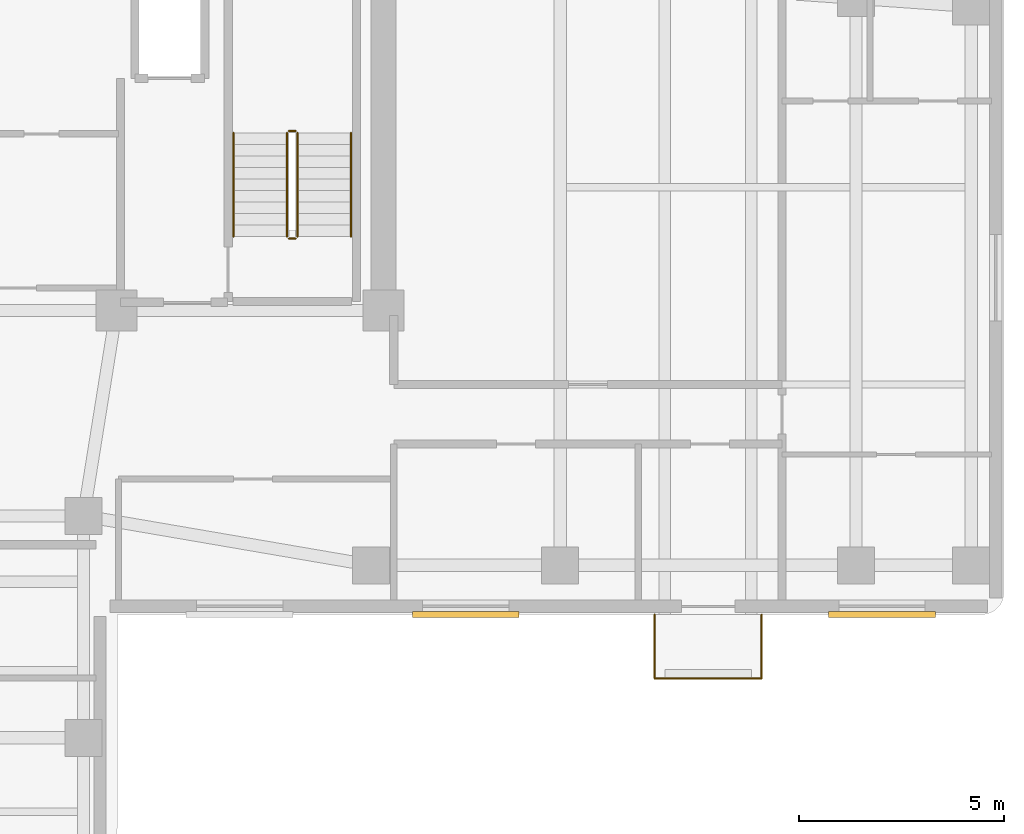
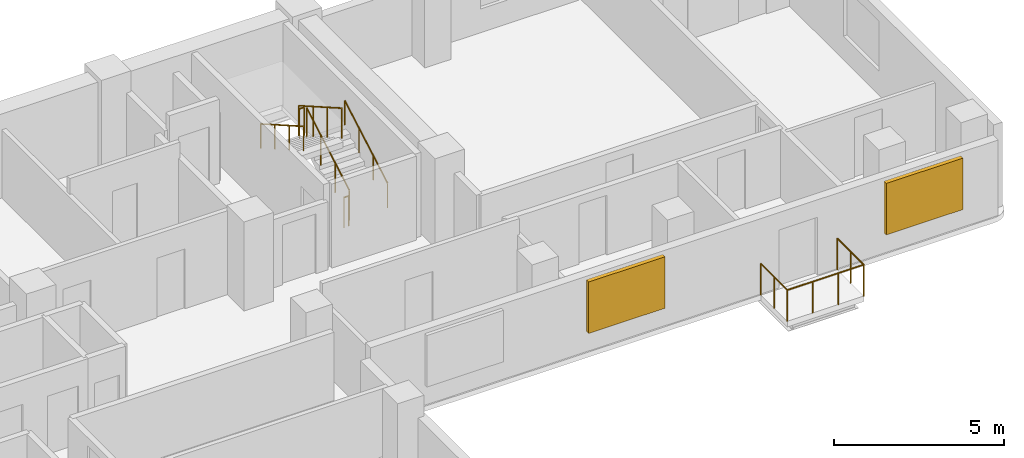
# One storey, part 6 of 6: 9 railings, 2 shading devices.
"""IFC4 building model written with IfcOpenShell, lengths in metres."""

from ifc_helpers import new_model, si_unit, direction, frame, origin, origin_2d, place, context, subcontext, project, spatial, rectangle, circle, extrude, material, layer, layer_set, type_object, element, save


model = new_model("IFC4")

# Units and contexts
model_context = context("Model", 3, precision=1e-05, world=origin(), true_north=direction((0.0, 1.0)))
body_context = subcontext(model_context, "Body", "Model", "MODEL_VIEW")
ifc_project = project(units=[si_unit("LENGTHUNIT", "METRE"), si_unit("AREAUNIT", "SQUARE_METRE"), si_unit("VOLUMEUNIT", "CUBIC_METRE"), si_unit("PLANEANGLEUNIT", "RADIAN"), si_unit("MASSUNIT", "GRAM", prefix="KILO")], contexts=[model_context])

# Site, building, storey
site_placement = place(None, origin())
site = spatial("IfcSite", under=ifc_project, at=site_placement, CompositionType="ELEMENT")
building_placement = place(site_placement, origin())
building = spatial("IfcBuilding", under=site, at=building_placement, Name="Kuzgunbayir Cultural Tower", CompositionType="ELEMENT")
storey_placement = place(building_placement, frame((0.0, 0.0, 169.60009765625)))
storey = spatial("IfcBuildingStorey", under=building, at=storey_placement, Name="L49", CompositionType="ELEMENT", Elevation=169.60009765625)

# Railings
ifc_material_1 = material(Name="Laminated Glass and Stainless Steel", Category="steel")
ifc_layer_1 = layer(ifc_material_1, 0.080078125)
ifc_layer_set_1 = layer_set([ifc_layer_1], Name="Laminated Glass and Stainless Steel")
railing_type_1 = type_object("IfcRailingType", Name="RLG-BAL-115", PredefinedType="BALUSTRADE", material=ifc_layer_set_1)
railing_1_placement = place(storey_placement, frame((33.5, 26.39990234375, 0.0)))
element("IfcRailing", 1, at=railing_1_placement, inside=storey, type_object=railing_type_1, Name="L49 Balcony Guard BAL-L49-WB2 Segment 1", PredefinedType="BALUSTRADE", context=body_context, shape_type="SweptSolid", body=[
    extrude(circle(Radius=0.02392578125, at=origin_2d()), frame((0.0, 0.0, 1.1259765625), z_axis=(0.0, -1.0, 0.0), x_axis=(1.0, 0.0, 0.0)), (0.0, 0.0, 1.0), 1.559814453125),
    extrude(circle(Radius=0.02099609375, at=origin_2d()), origin(), (0.0, 0.0, 1.0), 1.101806640625),
    extrude(circle(Radius=0.02099609375, at=origin_2d()), frame((0.0, -0.77978515625, 0.0)), (0.0, 0.0, 1.0), 1.101806640625),
    extrude(circle(Radius=0.02099609375, at=origin_2d()), frame((0.0, -1.559814453125, 0.0)), (0.0, 0.0, 1.0), 1.101806640625),
])
railing_2_placement = place(storey_placement, frame((33.5, 24.840087890625, 0.0)))
element("IfcRailing", 2, at=railing_2_placement, inside=storey, type_object=railing_type_1, Name="L49 Balcony Guard BAL-L49-WB2 Segment 2", PredefinedType="BALUSTRADE", context=body_context, shape_type="SweptSolid", body=[
    extrude(circle(Radius=0.02392578125, at=origin_2d()), frame((0.0, 0.0, 1.1259765625), z_axis=(1.0, 0.0, 0.0), x_axis=(0.0, 1.0, 0.0)), (0.0, 0.0, 1.0), 2.60009765625),
    extrude(circle(Radius=0.02099609375, at=origin_2d()), origin(), (0.0, 0.0, 1.0), 1.101806640625),
    extrude(circle(Radius=0.02099609375, at=origin_2d()), frame((0.86669921875, 0.0, 0.0)), (0.0, 0.0, 1.0), 1.101806640625),
    extrude(circle(Radius=0.02099609375, at=origin_2d()), frame((1.7333984375, 0.0, 0.0)), (0.0, 0.0, 1.0), 1.101806640625),
    extrude(circle(Radius=0.02099609375, at=origin_2d()), frame((2.60009765625, 0.0, 0.0)), (0.0, 0.0, 1.0), 1.101806640625),
])
railing_3_placement = place(storey_placement, frame((36.10009765625, 24.840087890625, 0.0)))
element("IfcRailing", 3, at=railing_3_placement, inside=storey, type_object=railing_type_1, Name="L49 Balcony Guard BAL-L49-WB2 Segment 3", PredefinedType="BALUSTRADE", context=body_context, shape_type="SweptSolid", body=[
    extrude(circle(Radius=0.02392578125, at=origin_2d()), frame((0.0, 0.0, 1.1259765625), z_axis=(0.0, 1.0, 0.0), x_axis=(-1.0, 0.0, 0.0)), (0.0, 0.0, 1.0), 1.559814453125),
    extrude(circle(Radius=0.02099609375, at=origin_2d()), origin(), (0.0, 0.0, 1.0), 1.101806640625),
    extrude(circle(Radius=0.02099609375, at=origin_2d()), frame((0.0, 0.77978515625, 0.0)), (0.0, 0.0, 1.0), 1.101806640625),
    extrude(circle(Radius=0.02099609375, at=origin_2d()), frame((0.0, 1.559814453125, 0.0)), (0.0, 0.0, 1.0), 1.101806640625),
])
ifc_material_2 = material(Name="Brushed Stainless Steel", Category="steel")
ifc_layer_2 = layer(ifc_material_2, 0.050048828125)
ifc_layer_set_2 = layer_set([ifc_layer_2], Name="Brushed Stainless Steel")
railing_type_2 = type_object("IfcRailingType", Name="RLG-STAIR-HANDRAIL", PredefinedType="HANDRAIL", material=ifc_layer_set_2)
railing_4_placement = place(storey_placement, frame((26.110107421875, 35.60009765625, 0.159912109375)))
element("IfcRailing", 4, at=railing_4_placement, inside=storey, type_object=railing_type_2, Name="L49 ST-2 stair handrail 1", PredefinedType="HANDRAIL", context=body_context, shape_type="SweptSolid", body=[
    extrude(circle(Radius=0.02392578125, at=origin_2d()), frame((0.0, 0.0, 0.8759765625), z_axis=(0.0, 0.868253494771, 0.496120820787), x_axis=(-1.0, 0.0, 0.0)), (0.0, 0.0, 1.0), 2.90234375),
    extrude(circle(Radius=0.02099609375, at=origin_2d()), origin(), (0.0, 0.0, 1.0), 0.851806640625),
    extrude(circle(Radius=0.02099609375, at=origin_2d()), frame((0.0, 0.840087890625, 0.47998046875)), (0.0, 0.0, 1.0), 0.851806640625),
    extrude(circle(Radius=0.02099609375, at=origin_2d()), frame((0.0, 1.679931640625, 0.9599609375)), (0.0, 0.0, 1.0), 0.851806640625),
    extrude(circle(Radius=0.02099609375, at=origin_2d()), frame((0.0, 2.52001953125, 1.43994140625)), (0.0, 0.0, 1.0), 0.851806640625),
])
railing_5_placement = place(storey_placement, frame((23.25, 38.1201171875, 1.760009765625)))
element("IfcRailing", 5, at=railing_5_placement, inside=storey, type_object=railing_type_2, Name="L49 ST-2 stair handrail 2", PredefinedType="HANDRAIL", context=body_context, shape_type="SweptSolid", body=[
    extrude(circle(Radius=0.02392578125, at=origin_2d()), frame((0.0, 0.0, 0.8759765625), z_axis=(0.0, -0.868253494771, 0.496120820787), x_axis=(1.0, 0.0, 0.0)), (0.0, 0.0, 1.0), 2.90234375),
    extrude(circle(Radius=0.02099609375, at=origin_2d()), origin(), (0.0, 0.0, 1.0), 0.851806640625),
    extrude(circle(Radius=0.02099609375, at=origin_2d()), frame((0.0, -0.840087890625, 0.47998046875)), (0.0, 0.0, 1.0), 0.851806640625),
    extrude(circle(Radius=0.02099609375, at=origin_2d()), frame((0.0, -1.679931640625, 0.9599609375)), (0.0, 0.0, 1.0), 0.851806640625),
    extrude(circle(Radius=0.02099609375, at=origin_2d()), frame((0.0, -2.52001953125, 1.43994140625)), (0.0, 0.0, 1.0), 0.851806640625),
])
ifc_material_3 = material(Name="Painted Steel Balustrade", Category="steel")
ifc_layer_3 = layer(ifc_material_3, 0.06005859375)
ifc_layer_set_3 = layer_set([ifc_layer_3], Name="Painted Steel Balustrade")
railing_type_3 = type_object("IfcRailingType", Name="RLG-WELL-GUARD", PredefinedType="GUARDRAIL", material=ifc_layer_set_3)
railing_6_placement = place(storey_placement, frame((24.81005859375, 35.60009765625, 0.159912109375)))
element("IfcRailing", 6, at=railing_6_placement, inside=storey, type_object=railing_type_3, Name="L49 ST-2 stair guard 1", PredefinedType="GUARDRAIL", context=body_context, shape_type="SweptSolid", body=[
    extrude(circle(Radius=0.02392578125, at=origin_2d()), frame((0.0, 0.0, 1.076171875), z_axis=(0.0, 0.868253494771, 0.496120820787), x_axis=(-1.0, 0.0, 0.0)), (0.0, 0.0, 1.0), 2.90234375),
    extrude(circle(Radius=0.02099609375, at=origin_2d()), origin(), (0.0, 0.0, 1.0), 1.052001953125),
    extrude(circle(Radius=0.02099609375, at=origin_2d()), frame((0.0, 0.840087890625, 0.47998046875)), (0.0, 0.0, 1.0), 1.052001953125),
    extrude(circle(Radius=0.02099609375, at=origin_2d()), frame((0.0, 1.679931640625, 0.9599609375)), (0.0, 0.0, 1.0), 1.052001953125),
    extrude(circle(Radius=0.02099609375, at=origin_2d()), frame((0.0, 2.52001953125, 1.43994140625)), (0.0, 0.0, 1.0), 1.052001953125),
])
railing_7_placement = place(storey_placement, frame((24.760009765625, 38.169921875, 1.599853515625)))
element("IfcRailing", 7, at=railing_7_placement, inside=storey, type_object=railing_type_3, Name="L49 ST-2 stair guard 2", PredefinedType="GUARDRAIL", context=body_context, shape_type="SweptSolid", body=[
    extrude(circle(Radius=0.02392578125, at=origin_2d()), frame((0.0, 0.0, 1.076171875), z_axis=(-1.0, 0.0, 0.0), x_axis=(0.0, -1.0, 0.0)), (0.0, 0.0, 1.0), 0.159912109375),
    extrude(circle(Radius=0.02099609375, at=origin_2d()), origin(), (0.0, 0.0, 1.0), 1.052001953125),
    extrude(circle(Radius=0.02099609375, at=origin_2d()), frame((-0.159912109375, 0.0, 0.0)), (0.0, 0.0, 1.0), 1.052001953125),
])
railing_8_placement = place(storey_placement, frame((24.550048828125, 38.1201171875, 1.760009765625)))
element("IfcRailing", 8, at=railing_8_placement, inside=storey, type_object=railing_type_3, Name="L49 ST-2 stair guard 3", PredefinedType="GUARDRAIL", context=body_context, shape_type="SweptSolid", body=[
    extrude(circle(Radius=0.02392578125, at=origin_2d()), frame((0.0, 0.0, 1.076171875), z_axis=(0.0, -0.868253494771, 0.496120820787), x_axis=(1.0, 0.0, 0.0)), (0.0, 0.0, 1.0), 2.90234375),
    extrude(circle(Radius=0.02099609375, at=origin_2d()), origin(), (0.0, 0.0, 1.0), 1.052001953125),
    extrude(circle(Radius=0.02099609375, at=origin_2d()), frame((0.0, -0.840087890625, 0.47998046875)), (0.0, 0.0, 1.0), 1.052001953125),
    extrude(circle(Radius=0.02099609375, at=origin_2d()), frame((0.0, -1.679931640625, 0.9599609375)), (0.0, 0.0, 1.0), 1.052001953125),
    extrude(circle(Radius=0.02099609375, at=origin_2d()), frame((0.0, -2.52001953125, 1.43994140625)), (0.0, 0.0, 1.0), 1.052001953125),
])
railing_9_placement = place(storey_placement, frame((24.760009765625, 35.550048828125, 0.0)))
element("IfcRailing", 9, at=railing_9_placement, inside=storey, type_object=railing_type_3, Name="L49 ST-2 stair guard 4", PredefinedType="GUARDRAIL", context=body_context, shape_type="SweptSolid", body=[
    extrude(circle(Radius=0.02392578125, at=origin_2d()), frame((0.0, 0.0, 1.076171875), z_axis=(-1.0, 0.0, 0.0), x_axis=(0.0, -1.0, 0.0)), (0.0, 0.0, 1.0), 0.159912109375),
    extrude(circle(Radius=0.02099609375, at=origin_2d()), origin(), (0.0, 0.0, 1.0), 1.052001953125),
    extrude(circle(Radius=0.02099609375, at=origin_2d()), frame((-0.159912109375, 0.0, 0.0)), (0.0, 0.0, 1.0), 1.052001953125),
])

# Shading devices
ifc_material_4 = material(Name="Perforated Bronze-Anodised Aluminium", Category="aluminium")
shading_device_type = type_object("IfcShadingDeviceType", Name="SHD-SOLAR-BRONZE", PredefinedType="JALOUSIE", material=ifc_material_4)
for number, where, z_axis, x_axis, name in (
    (10, (39.030029296875, 26.39990234375, 0.724853515625), (0.0, 0.0, 1.0), (1.0, 0.0, 0.0), "L49 Solar Screen WBS6"),
    (11, (28.89990234375, 26.39990234375, 0.724853515625), (0.0, 0.0, 1.0), (1.0, 0.0, 0.0), "L49 Solar Screen WBS14"),
):
    element("IfcShadingDevice", number, at=place(storey_placement, frame(where, z_axis=z_axis, x_axis=x_axis)), inside=storey, type_object=shading_device_type, Name=name, PredefinedType="JALOUSIE", context=body_context, shape_type="SweptSolid", body=[
        extrude(rectangle(XDim=2.60009765625, YDim=0.139892578125, at=origin_2d()), origin(), (0.0, 0.0, 1.0), 1.85009765625),
    ])

save(model, "model.ifc")
